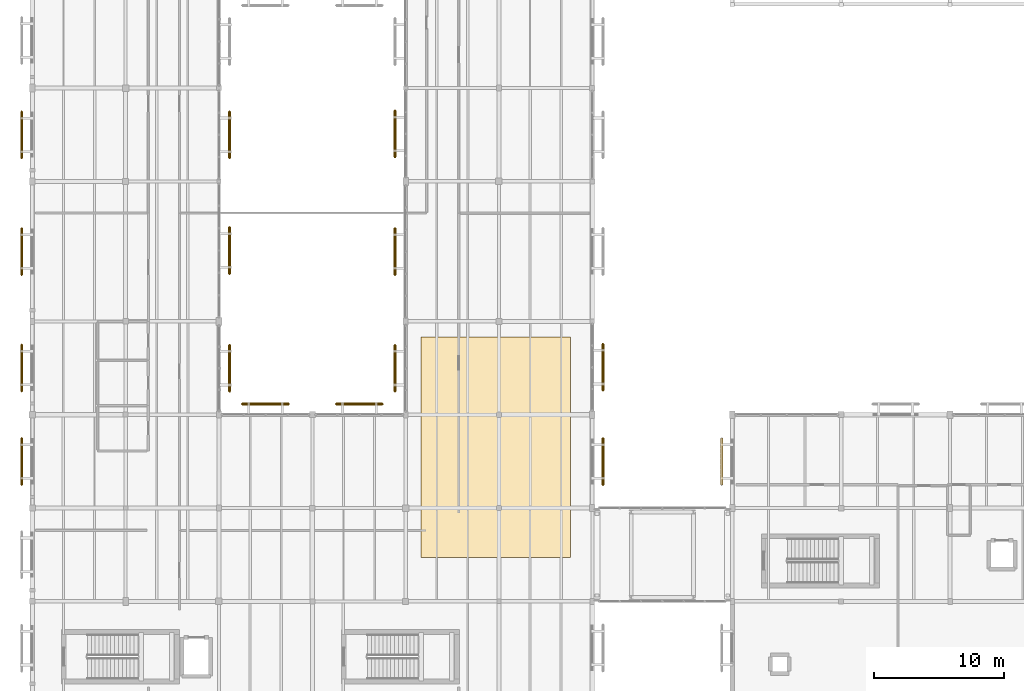
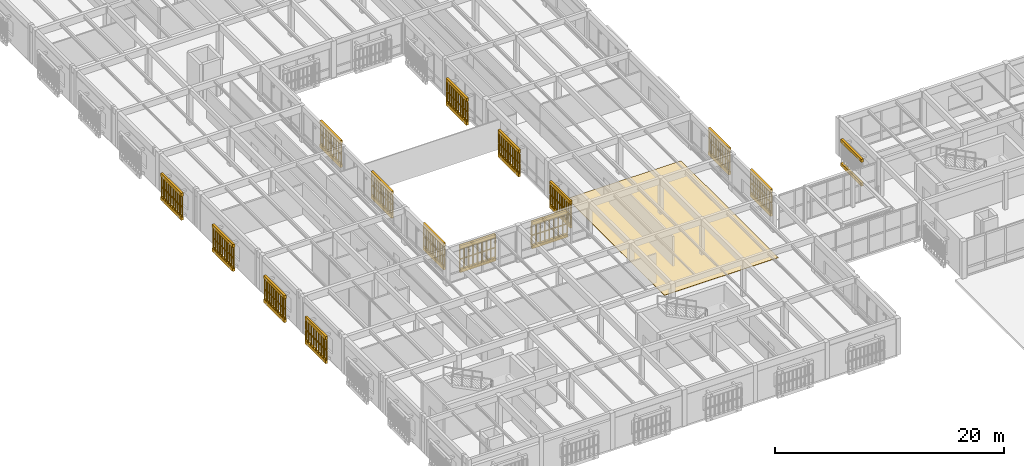
# One storey, part 200 of 217: 31 coverings, 28 railings.
"""IFC4 building model written with IfcOpenShell, lengths in metres."""

from ifc_helpers import new_model, si_unit, direction, frame, origin, origin_2d, place, context, subcontext, project, spatial, polyline, circle, outline, extrude, material, layer, layer_set, type_object, element, save


model = new_model("IFC4")

# Units and contexts
model_context = context("Model", 3, precision=1e-05, world=origin(), true_north=direction((0.0, 1.0)))
body_context = subcontext(model_context, "Body", "Model", "MODEL_VIEW")
ifc_project = project(units=[si_unit("LENGTHUNIT", "METRE"), si_unit("AREAUNIT", "SQUARE_METRE"), si_unit("VOLUMEUNIT", "CUBIC_METRE"), si_unit("PLANEANGLEUNIT", "RADIAN"), si_unit("MASSUNIT", "GRAM", prefix="KILO")], contexts=[model_context])

# Site, building, storey
site_placement = place(None, origin())
site = spatial("IfcSite", under=ifc_project, at=site_placement, CompositionType="ELEMENT")
building_placement = place(site_placement, origin())
building = spatial("IfcBuilding", under=site, at=building_placement, Name="Mazaris Harbour Polytechnic", CompositionType="ELEMENT")
storey_placement = place(building_placement, frame((0.0, 0.0, 9.60009765625)))
storey = spatial("IfcBuildingStorey", under=building, at=storey_placement, Name="L02", CompositionType="ELEMENT", Elevation=9.60009765625)

# Covering
ifc_material_1 = material(Name="Honed Stone Terrazzo", Category="masonry")
ifc_layer_1 = layer(ifc_material_1, 0.034912109375, Name="Honed Stone Terrazzo")
ifc_layer_set_1 = layer_set([ifc_layer_1], Name="Honed Stone Terrazzo")
covering_type_1 = type_object("IfcCoveringType", Name="Honed Stone Terrazzo Flooring 35", PredefinedType="FLOORING", material=ifc_layer_set_1)
covering_1_placement = place(storey_placement, origin())
element("IfcCovering", 1, at=covering_1_placement, inside=storey, type_object=covering_type_1, Name="Covering COV-FL-05", PredefinedType="FLOORING", context=body_context, shape_type="SweptSolid", body=[
    extrude(outline(polyline([(30.0, 25.0), (41.5, 25.0), (41.5, 42.0), (30.0, 42.0), (30.0, 25.0)])), origin(), (0.0, 0.0, 1.0), 0.034912109375),
])

# Railings
ifc_material_2 = material(Name="Perforated Earth-Coloured Terracotta Block", Category="masonry")
railing_type = type_object("IfcRailingType", Name="Perforated Earth-Block Claustra Lattice 1040", PredefinedType="BALUSTRADE", material=ifc_material_2)
for number, where, name in (
    (2, (-0.820068359375, 30.590087890625, 0.52001953125), "V4 L02 Lower Perforated Terracotta Block Screen 216"),
    (3, (-0.820068359375, 30.590087890625, 1.60986328125), "V4 L02 Upper Perforated Terracotta Block Screen 216"),
):
    element("IfcRailing", number, at=place(storey_placement, frame(where)), inside=storey, type_object=railing_type, Name=name, PredefinedType="BALUSTRADE", context=body_context, shape_type="SweptSolid", body=[
        extrude(circle(Radius=0.06982421875, at=origin_2d()), frame((0.0, 0.0, 1.02001953125), z_axis=(0.0, 1.0, 0.0), x_axis=(-1.0, 0.0, 0.0)), (0.0, 0.0, 1.0), 3.599853515625),
        extrude(circle(Radius=0.074951171875, at=origin_2d()), origin(), (0.0, 0.0, 1.0), 0.9501953125),
        extrude(circle(Radius=0.074951171875, at=origin_2d()), frame((0.0, 0.449951171875, 0.0)), (0.0, 0.0, 1.0), 0.9501953125),
        extrude(circle(Radius=0.074951171875, at=origin_2d()), frame((0.0, 0.89990234375, 0.0)), (0.0, 0.0, 1.0), 0.9501953125),
        extrude(circle(Radius=0.074951171875, at=origin_2d()), frame((0.0, 1.349853515625, 0.0)), (0.0, 0.0, 1.0), 0.9501953125),
        extrude(circle(Radius=0.074951171875, at=origin_2d()), frame((0.0, 1.7998046875, 0.0)), (0.0, 0.0, 1.0), 0.9501953125),
        extrude(circle(Radius=0.074951171875, at=origin_2d()), frame((0.0, 2.25, 0.0)), (0.0, 0.0, 1.0), 0.9501953125),
        extrude(circle(Radius=0.074951171875, at=origin_2d()), frame((0.0, 2.699951171875, 0.0)), (0.0, 0.0, 1.0), 0.9501953125),
        extrude(circle(Radius=0.074951171875, at=origin_2d()), frame((0.0, 3.14990234375, 0.0)), (0.0, 0.0, 1.0), 0.9501953125),
        extrude(circle(Radius=0.074951171875, at=origin_2d()), frame((0.0, 3.599853515625, 0.0)), (0.0, 0.0, 1.0), 0.9501953125),
    ])
for number, where, name in (
    (4, (-0.820068359375, 37.804931640625, 0.52001953125), "V4 L02 Lower Perforated Terracotta Block Screen 217"),
    (5, (-0.820068359375, 37.804931640625, 1.60986328125), "V4 L02 Upper Perforated Terracotta Block Screen 217"),
    (6, (-0.820068359375, 46.784912109375, 0.52001953125), "V4 L02 Lower Perforated Terracotta Block Screen 218"),
    (7, (-0.820068359375, 46.784912109375, 1.60986328125), "V4 L02 Upper Perforated Terracotta Block Screen 218"),
    (8, (-0.820068359375, 55.784912109375, 0.52001953125), "V4 L02 Lower Perforated Terracotta Block Screen 219"),
    (9, (-0.820068359375, 55.784912109375, 1.60986328125), "V4 L02 Upper Perforated Terracotta Block Screen 219"),
):
    element("IfcRailing", number, at=place(storey_placement, frame(where)), inside=storey, type_object=railing_type, Name=name, PredefinedType="BALUSTRADE", context=body_context, shape_type="SweptSolid", body=[
        extrude(circle(Radius=0.06982421875, at=origin_2d()), frame((0.0, 0.0, 1.02001953125), z_axis=(0.0, 1.0, 0.0), x_axis=(-1.0, 0.0, 0.0)), (0.0, 0.0, 1.0), 3.60009765625),
        extrude(circle(Radius=0.074951171875, at=origin_2d()), origin(), (0.0, 0.0, 1.0), 0.9501953125),
        extrude(circle(Radius=0.074951171875, at=origin_2d()), frame((0.0, 0.39990234375, 0.0)), (0.0, 0.0, 1.0), 0.9501953125),
        extrude(circle(Radius=0.074951171875, at=origin_2d()), frame((0.0, 0.800048828125, 0.0)), (0.0, 0.0, 1.0), 0.9501953125),
        extrude(circle(Radius=0.074951171875, at=origin_2d()), frame((0.0, 1.199951171875, 0.0)), (0.0, 0.0, 1.0), 0.9501953125),
        extrude(circle(Radius=0.074951171875, at=origin_2d()), frame((0.0, 1.60009765625, 0.0)), (0.0, 0.0, 1.0), 0.9501953125),
        extrude(circle(Radius=0.074951171875, at=origin_2d()), frame((0.0, 2.0, 0.0)), (0.0, 0.0, 1.0), 0.9501953125),
        extrude(circle(Radius=0.074951171875, at=origin_2d()), frame((0.0, 2.400146484375, 0.0)), (0.0, 0.0, 1.0), 0.9501953125),
        extrude(circle(Radius=0.074951171875, at=origin_2d()), frame((0.0, 2.800048828125, 0.0)), (0.0, 0.0, 1.0), 0.9501953125),
        extrude(circle(Radius=0.074951171875, at=origin_2d()), frame((0.0, 3.2001953125, 0.0)), (0.0, 0.0, 1.0), 0.9501953125),
        extrude(circle(Radius=0.074951171875, at=origin_2d()), frame((0.0, 3.60009765625, 0.0)), (0.0, 0.0, 1.0), 0.9501953125),
    ])
for number, where, name in (
    (10, (44.02001953125, 34.18505859375, 0.52001953125), "V4 L02 Lower Perforated Terracotta Block Screen 227"),
    (11, (44.02001953125, 34.18505859375, 1.60986328125), "V4 L02 Upper Perforated Terracotta Block Screen 227"),
    (12, (44.02001953125, 41.465087890625, 0.52001953125), "V4 L02 Lower Perforated Terracotta Block Screen 228"),
    (13, (44.02001953125, 41.465087890625, 1.60986328125), "V4 L02 Upper Perforated Terracotta Block Screen 228"),
):
    element("IfcRailing", number, at=place(storey_placement, frame(where)), inside=storey, type_object=railing_type, Name=name, PredefinedType="BALUSTRADE", context=body_context, shape_type="SweptSolid", body=[
        extrude(circle(Radius=0.06982421875, at=origin_2d()), frame((0.0, 0.0, 1.02001953125), z_axis=(0.0, -1.0, 0.0), x_axis=(1.0, 0.0, 0.0)), (0.0, 0.0, 1.0), 3.60009765625),
        extrude(circle(Radius=0.074951171875, at=origin_2d()), origin(), (0.0, 0.0, 1.0), 0.9501953125),
        extrude(circle(Radius=0.074951171875, at=origin_2d()), frame((0.0, -0.39990234375, 0.0)), (0.0, 0.0, 1.0), 0.9501953125),
        extrude(circle(Radius=0.074951171875, at=origin_2d()), frame((0.0, -0.800048828125, 0.0)), (0.0, 0.0, 1.0), 0.9501953125),
        extrude(circle(Radius=0.074951171875, at=origin_2d()), frame((0.0, -1.199951171875, 0.0)), (0.0, 0.0, 1.0), 0.9501953125),
        extrude(circle(Radius=0.074951171875, at=origin_2d()), frame((0.0, -1.60009765625, 0.0)), (0.0, 0.0, 1.0), 0.9501953125),
        extrude(circle(Radius=0.074951171875, at=origin_2d()), frame((0.0, -2.0, 0.0)), (0.0, 0.0, 1.0), 0.9501953125),
        extrude(circle(Radius=0.074951171875, at=origin_2d()), frame((0.0, -2.400146484375, 0.0)), (0.0, 0.0, 1.0), 0.9501953125),
        extrude(circle(Radius=0.074951171875, at=origin_2d()), frame((0.0, -2.800048828125, 0.0)), (0.0, 0.0, 1.0), 0.9501953125),
        extrude(circle(Radius=0.074951171875, at=origin_2d()), frame((0.0, -3.2001953125, 0.0)), (0.0, 0.0, 1.0), 0.9501953125),
        extrude(circle(Radius=0.074951171875, at=origin_2d()), frame((0.0, -3.60009765625, 0.0)), (0.0, 0.0, 1.0), 0.9501953125),
    ])
for number, where, name in (
    (14, (16.18505859375, 36.820068359375, 0.52001953125), "V4 L02 Lower Perforated Terracotta Block Screen 235"),
    (15, (16.18505859375, 36.820068359375, 1.60498046875), "V4 L02 Upper Perforated Terracotta Block Screen 235"),
    (16, (23.425048828125, 36.820068359375, 0.52001953125), "V4 L02 Lower Perforated Terracotta Block Screen 236"),
    (17, (23.425048828125, 36.820068359375, 1.60498046875), "V4 L02 Upper Perforated Terracotta Block Screen 236"),
):
    element("IfcRailing", number, at=place(storey_placement, frame(where)), inside=storey, type_object=railing_type, Name=name, PredefinedType="BALUSTRADE", context=body_context, shape_type="SweptSolid", body=[
        extrude(circle(Radius=0.06982421875, at=origin_2d()), frame((0.0, 0.0, 1.01513671875), z_axis=(1.0, 0.0, 0.0), x_axis=(0.0, 1.0, 0.0)), (0.0, 0.0, 1.0), 3.599853515625),
        extrude(circle(Radius=0.074951171875, at=origin_2d()), origin(), (0.0, 0.0, 1.0), 0.945068359375),
        extrude(circle(Radius=0.074951171875, at=origin_2d()), frame((0.449951171875, 0.0, 0.0)), (0.0, 0.0, 1.0), 0.945068359375),
        extrude(circle(Radius=0.074951171875, at=origin_2d()), frame((0.89990234375, 0.0, 0.0)), (0.0, 0.0, 1.0), 0.945068359375),
        extrude(circle(Radius=0.074951171875, at=origin_2d()), frame((1.349853515625, 0.0, 0.0)), (0.0, 0.0, 1.0), 0.945068359375),
        extrude(circle(Radius=0.074951171875, at=origin_2d()), frame((1.7998046875, 0.0, 0.0)), (0.0, 0.0, 1.0), 0.945068359375),
        extrude(circle(Radius=0.074951171875, at=origin_2d()), frame((2.25, 0.0, 0.0)), (0.0, 0.0, 1.0), 0.945068359375),
        extrude(circle(Radius=0.074951171875, at=origin_2d()), frame((2.699951171875, 0.0, 0.0)), (0.0, 0.0, 1.0), 0.945068359375),
        extrude(circle(Radius=0.074951171875, at=origin_2d()), frame((3.14990234375, 0.0, 0.0)), (0.0, 0.0, 1.0), 0.945068359375),
        extrude(circle(Radius=0.074951171875, at=origin_2d()), frame((3.599853515625, 0.0, 0.0)), (0.0, 0.0, 1.0), 0.945068359375),
    ])
for number, where, name in (
    (18, (15.219970703125, 37.784912109375, 0.52001953125), "V4 L02 Lower Perforated Terracotta Block Screen 239"),
    (19, (15.219970703125, 37.784912109375, 1.60498046875), "V4 L02 Upper Perforated Terracotta Block Screen 239"),
    (20, (15.219970703125, 46.864990234375, 0.52001953125), "V4 L02 Lower Perforated Terracotta Block Screen 240"),
    (21, (15.219970703125, 46.864990234375, 1.60498046875), "V4 L02 Upper Perforated Terracotta Block Screen 240"),
):
    element("IfcRailing", number, at=place(storey_placement, frame(where)), inside=storey, type_object=railing_type, Name=name, PredefinedType="BALUSTRADE", context=body_context, shape_type="SweptSolid", body=[
        extrude(circle(Radius=0.06982421875, at=origin_2d()), frame((0.0, 0.0, 1.01513671875), z_axis=(0.0, 1.0, 0.0), x_axis=(-1.0, 0.0, 0.0)), (0.0, 0.0, 1.0), 3.60009765625),
        extrude(circle(Radius=0.074951171875, at=origin_2d()), origin(), (0.0, 0.0, 1.0), 0.945068359375),
        extrude(circle(Radius=0.074951171875, at=origin_2d()), frame((0.0, 0.39990234375, 0.0)), (0.0, 0.0, 1.0), 0.945068359375),
        extrude(circle(Radius=0.074951171875, at=origin_2d()), frame((0.0, 0.800048828125, 0.0)), (0.0, 0.0, 1.0), 0.945068359375),
        extrude(circle(Radius=0.074951171875, at=origin_2d()), frame((0.0, 1.199951171875, 0.0)), (0.0, 0.0, 1.0), 0.945068359375),
        extrude(circle(Radius=0.074951171875, at=origin_2d()), frame((0.0, 1.60009765625, 0.0)), (0.0, 0.0, 1.0), 0.945068359375),
        extrude(circle(Radius=0.074951171875, at=origin_2d()), frame((0.0, 2.0, 0.0)), (0.0, 0.0, 1.0), 0.945068359375),
        extrude(circle(Radius=0.074951171875, at=origin_2d()), frame((0.0, 2.400146484375, 0.0)), (0.0, 0.0, 1.0), 0.945068359375),
        extrude(circle(Radius=0.074951171875, at=origin_2d()), frame((0.0, 2.800048828125, 0.0)), (0.0, 0.0, 1.0), 0.945068359375),
        extrude(circle(Radius=0.074951171875, at=origin_2d()), frame((0.0, 3.2001953125, 0.0)), (0.0, 0.0, 1.0), 0.945068359375),
        extrude(circle(Radius=0.074951171875, at=origin_2d()), frame((0.0, 3.60009765625, 0.0)), (0.0, 0.0, 1.0), 0.945068359375),
    ])
for number, where, name in (
    (22, (15.219970703125, 55.7900390625, 0.52001953125), "V4 L02 Lower Perforated Terracotta Block Screen 241"),
    (23, (15.219970703125, 55.7900390625, 1.60498046875), "V4 L02 Upper Perforated Terracotta Block Screen 241"),
):
    element("IfcRailing", number, at=place(storey_placement, frame(where)), inside=storey, type_object=railing_type, Name=name, PredefinedType="BALUSTRADE", context=body_context, shape_type="SweptSolid", body=[
        extrude(circle(Radius=0.06982421875, at=origin_2d()), frame((0.0, 0.0, 1.01513671875), z_axis=(0.0, 1.0, 0.0), x_axis=(-1.0, 0.0, 0.0)), (0.0, 0.0, 1.0), 3.599853515625),
        extrude(circle(Radius=0.074951171875, at=origin_2d()), origin(), (0.0, 0.0, 1.0), 0.945068359375),
        extrude(circle(Radius=0.074951171875, at=origin_2d()), frame((0.0, 0.449951171875, 0.0)), (0.0, 0.0, 1.0), 0.945068359375),
        extrude(circle(Radius=0.074951171875, at=origin_2d()), frame((0.0, 0.89990234375, 0.0)), (0.0, 0.0, 1.0), 0.945068359375),
        extrude(circle(Radius=0.074951171875, at=origin_2d()), frame((0.0, 1.349853515625, 0.0)), (0.0, 0.0, 1.0), 0.945068359375),
        extrude(circle(Radius=0.074951171875, at=origin_2d()), frame((0.0, 1.7998046875, 0.0)), (0.0, 0.0, 1.0), 0.945068359375),
        extrude(circle(Radius=0.074951171875, at=origin_2d()), frame((0.0, 2.25, 0.0)), (0.0, 0.0, 1.0), 0.945068359375),
        extrude(circle(Radius=0.074951171875, at=origin_2d()), frame((0.0, 2.699951171875, 0.0)), (0.0, 0.0, 1.0), 0.945068359375),
        extrude(circle(Radius=0.074951171875, at=origin_2d()), frame((0.0, 3.14990234375, 0.0)), (0.0, 0.0, 1.0), 0.945068359375),
        extrude(circle(Radius=0.074951171875, at=origin_2d()), frame((0.0, 3.599853515625, 0.0)), (0.0, 0.0, 1.0), 0.945068359375),
    ])
for number, where, name in (
    (24, (27.97998046875, 41.385009765625, 0.52001953125), "V4 L02 Lower Perforated Terracotta Block Screen 243"),
    (25, (27.97998046875, 41.385009765625, 1.60498046875), "V4 L02 Upper Perforated Terracotta Block Screen 243"),
    (26, (27.97998046875, 50.385009765625, 0.52001953125), "V4 L02 Lower Perforated Terracotta Block Screen 244"),
    (27, (27.97998046875, 50.385009765625, 1.60498046875), "V4 L02 Upper Perforated Terracotta Block Screen 244"),
    (28, (27.97998046875, 59.465087890625, 0.52001953125), "V4 L02 Lower Perforated Terracotta Block Screen 245"),
    (29, (27.97998046875, 59.465087890625, 1.60498046875), "V4 L02 Upper Perforated Terracotta Block Screen 245"),
):
    element("IfcRailing", number, at=place(storey_placement, frame(where)), inside=storey, type_object=railing_type, Name=name, PredefinedType="BALUSTRADE", context=body_context, shape_type="SweptSolid", body=[
        extrude(circle(Radius=0.06982421875, at=origin_2d()), frame((0.0, 0.0, 1.01513671875), z_axis=(0.0, -1.0, 0.0), x_axis=(1.0, 0.0, 0.0)), (0.0, 0.0, 1.0), 3.60009765625),
        extrude(circle(Radius=0.074951171875, at=origin_2d()), origin(), (0.0, 0.0, 1.0), 0.945068359375),
        extrude(circle(Radius=0.074951171875, at=origin_2d()), frame((0.0, -0.39990234375, 0.0)), (0.0, 0.0, 1.0), 0.945068359375),
        extrude(circle(Radius=0.074951171875, at=origin_2d()), frame((0.0, -0.800048828125, 0.0)), (0.0, 0.0, 1.0), 0.945068359375),
        extrude(circle(Radius=0.074951171875, at=origin_2d()), frame((0.0, -1.199951171875, 0.0)), (0.0, 0.0, 1.0), 0.945068359375),
        extrude(circle(Radius=0.074951171875, at=origin_2d()), frame((0.0, -1.60009765625, 0.0)), (0.0, 0.0, 1.0), 0.945068359375),
        extrude(circle(Radius=0.074951171875, at=origin_2d()), frame((0.0, -2.0, 0.0)), (0.0, 0.0, 1.0), 0.945068359375),
        extrude(circle(Radius=0.074951171875, at=origin_2d()), frame((0.0, -2.400146484375, 0.0)), (0.0, 0.0, 1.0), 0.945068359375),
        extrude(circle(Radius=0.074951171875, at=origin_2d()), frame((0.0, -2.800048828125, 0.0)), (0.0, 0.0, 1.0), 0.945068359375),
        extrude(circle(Radius=0.074951171875, at=origin_2d()), frame((0.0, -3.2001953125, 0.0)), (0.0, 0.0, 1.0), 0.945068359375),
        extrude(circle(Radius=0.074951171875, at=origin_2d()), frame((0.0, -3.60009765625, 0.0)), (0.0, 0.0, 1.0), 0.945068359375),
    ])

# Coverings
ifc_material_3 = material(Name="Perforated Earth-Coloured Terracotta Block", Category="masonry")
ifc_layer_2 = layer(ifc_material_3, 0.219970703125, Name="Perforated Earth-Coloured Terracotta Block")
ifc_layer_set_2 = layer_set([ifc_layer_2], Name="Perforated Earth-Coloured Terracotta Block")
covering_type_2 = type_object("IfcCoveringType", Name="Terracotta Screen Course Cladding 220", PredefinedType="CLADDING", material=ifc_layer_set_2)
covering_2_placement = place(storey_placement, frame((0.0, 0.0, 0.159912109375)))
element("IfcCovering", 30, at=covering_2_placement, inside=storey, type_object=covering_type_2, Name="V3 L02 Perforated Screen Sill Course 129", PredefinedType="CLADDING", context=body_context, shape_type="SweptSolid", body=[
    extrude(outline(polyline([(53.2900390625, 30.5849609375), (53.2900390625, 34.18505859375), (53.070068359375, 34.18505859375), (53.070068359375, 30.5849609375), (53.2900390625, 30.5849609375)])), origin(), (0.0, 0.0, 1.0), 0.360107421875),
])
covering_3_placement = place(storey_placement, frame((0.0, 0.0, 2.699951171875)))
element("IfcCovering", 31, at=covering_3_placement, inside=storey, type_object=covering_type_2, Name="V3 L02 Perforated Screen Lintel Course 129", PredefinedType="CLADDING", context=body_context, shape_type="SweptSolid", body=[
    extrude(outline(polyline([(53.2900390625, 30.5849609375), (53.2900390625, 34.18505859375), (53.070068359375, 34.18505859375), (53.070068359375, 30.5849609375), (53.2900390625, 30.5849609375)])), origin(), (0.0, 0.0, 1.0), 0.33984375),
])
covering_4_placement = place(storey_placement, frame((0.0, 0.0, 0.159912109375)))
element("IfcCovering", 32, at=covering_4_placement, inside=storey, type_object=covering_type_2, Name="V4 L02 Perforated Screen Sill Course 216", PredefinedType="CLADDING", context=body_context, shape_type="SweptSolid", body=[
    extrude(outline(polyline([(-0.7099609375, 30.590087890625), (-0.7099609375, 34.18994140625), (-0.929931640625, 34.18994140625), (-0.929931640625, 30.590087890625), (-0.7099609375, 30.590087890625)])), origin(), (0.0, 0.0, 1.0), 0.360107421875),
])
covering_5_placement = place(storey_placement, frame((0.0, 0.0, 2.699951171875)))
element("IfcCovering", 33, at=covering_5_placement, inside=storey, type_object=covering_type_2, Name="V4 L02 Perforated Screen Lintel Course 216", PredefinedType="CLADDING", context=body_context, shape_type="SweptSolid", body=[
    extrude(outline(polyline([(-0.7099609375, 30.590087890625), (-0.7099609375, 34.18994140625), (-0.929931640625, 34.18994140625), (-0.929931640625, 30.590087890625), (-0.7099609375, 30.590087890625)])), origin(), (0.0, 0.0, 1.0), 0.33984375),
])
covering_6_placement = place(storey_placement, frame((0.0, 0.0, 0.159912109375)))
element("IfcCovering", 34, at=covering_6_placement, inside=storey, type_object=covering_type_2, Name="V4 L02 Perforated Screen Sill Course 217", PredefinedType="CLADDING", context=body_context, shape_type="SweptSolid", body=[
    extrude(outline(polyline([(-0.7099609375, 37.804931640625), (-0.7099609375, 41.405029296875), (-0.929931640625, 41.405029296875), (-0.929931640625, 37.804931640625), (-0.7099609375, 37.804931640625)])), origin(), (0.0, 0.0, 1.0), 0.360107421875),
])
covering_7_placement = place(storey_placement, frame((0.0, 0.0, 2.699951171875)))
element("IfcCovering", 35, at=covering_7_placement, inside=storey, type_object=covering_type_2, Name="V4 L02 Perforated Screen Lintel Course 217", PredefinedType="CLADDING", context=body_context, shape_type="SweptSolid", body=[
    extrude(outline(polyline([(-0.7099609375, 37.804931640625), (-0.7099609375, 41.405029296875), (-0.929931640625, 41.405029296875), (-0.929931640625, 37.804931640625), (-0.7099609375, 37.804931640625)])), origin(), (0.0, 0.0, 1.0), 0.33984375),
])
covering_8_placement = place(storey_placement, frame((0.0, 0.0, 0.159912109375)))
element("IfcCovering", 36, at=covering_8_placement, inside=storey, type_object=covering_type_2, Name="V4 L02 Perforated Screen Sill Course 218", PredefinedType="CLADDING", context=body_context, shape_type="SweptSolid", body=[
    extrude(outline(polyline([(-0.7099609375, 46.784912109375), (-0.7099609375, 50.385009765625), (-0.929931640625, 50.385009765625), (-0.929931640625, 46.784912109375), (-0.7099609375, 46.784912109375)])), origin(), (0.0, 0.0, 1.0), 0.360107421875),
])
covering_9_placement = place(storey_placement, frame((0.0, 0.0, 2.699951171875)))
element("IfcCovering", 37, at=covering_9_placement, inside=storey, type_object=covering_type_2, Name="V4 L02 Perforated Screen Lintel Course 218", PredefinedType="CLADDING", context=body_context, shape_type="SweptSolid", body=[
    extrude(outline(polyline([(-0.7099609375, 46.784912109375), (-0.7099609375, 50.385009765625), (-0.929931640625, 50.385009765625), (-0.929931640625, 46.784912109375), (-0.7099609375, 46.784912109375)])), origin(), (0.0, 0.0, 1.0), 0.33984375),
])
covering_10_placement = place(storey_placement, frame((0.0, 0.0, 0.159912109375)))
element("IfcCovering", 38, at=covering_10_placement, inside=storey, type_object=covering_type_2, Name="V4 L02 Perforated Screen Sill Course 219", PredefinedType="CLADDING", context=body_context, shape_type="SweptSolid", body=[
    extrude(outline(polyline([(-0.7099609375, 55.784912109375), (-0.7099609375, 59.385009765625), (-0.929931640625, 59.385009765625), (-0.929931640625, 55.784912109375), (-0.7099609375, 55.784912109375)])), origin(), (0.0, 0.0, 1.0), 0.360107421875),
])
covering_11_placement = place(storey_placement, frame((0.0, 0.0, 2.699951171875)))
element("IfcCovering", 39, at=covering_11_placement, inside=storey, type_object=covering_type_2, Name="V4 L02 Perforated Screen Lintel Course 219", PredefinedType="CLADDING", context=body_context, shape_type="SweptSolid", body=[
    extrude(outline(polyline([(-0.7099609375, 55.784912109375), (-0.7099609375, 59.385009765625), (-0.929931640625, 59.385009765625), (-0.929931640625, 55.784912109375), (-0.7099609375, 55.784912109375)])), origin(), (0.0, 0.0, 1.0), 0.33984375),
])
covering_12_placement = place(storey_placement, frame((0.0, 0.0, 0.159912109375)))
element("IfcCovering", 40, at=covering_12_placement, inside=storey, type_object=covering_type_2, Name="V4 L02 Perforated Screen Sill Course 227", PredefinedType="CLADDING", context=body_context, shape_type="SweptSolid", body=[
    extrude(outline(polyline([(43.909912109375, 34.18505859375), (43.909912109375, 30.5849609375), (44.1298828125, 30.5849609375), (44.1298828125, 34.18505859375), (43.909912109375, 34.18505859375)])), origin(), (0.0, 0.0, 1.0), 0.360107421875),
])
covering_13_placement = place(storey_placement, frame((0.0, 0.0, 2.699951171875)))
element("IfcCovering", 41, at=covering_13_placement, inside=storey, type_object=covering_type_2, Name="V4 L02 Perforated Screen Lintel Course 227", PredefinedType="CLADDING", context=body_context, shape_type="SweptSolid", body=[
    extrude(outline(polyline([(43.909912109375, 34.18505859375), (43.909912109375, 30.5849609375), (44.1298828125, 30.5849609375), (44.1298828125, 34.18505859375), (43.909912109375, 34.18505859375)])), origin(), (0.0, 0.0, 1.0), 0.33984375),
])
covering_14_placement = place(storey_placement, frame((0.0, 0.0, 0.159912109375)))
element("IfcCovering", 42, at=covering_14_placement, inside=storey, type_object=covering_type_2, Name="V4 L02 Perforated Screen Sill Course 228", PredefinedType="CLADDING", context=body_context, shape_type="SweptSolid", body=[
    extrude(outline(polyline([(43.909912109375, 41.465087890625), (43.909912109375, 37.864990234375), (44.1298828125, 37.864990234375), (44.1298828125, 41.465087890625), (43.909912109375, 41.465087890625)])), origin(), (0.0, 0.0, 1.0), 0.360107421875),
])
covering_15_placement = place(storey_placement, frame((0.0, 0.0, 2.699951171875)))
element("IfcCovering", 43, at=covering_15_placement, inside=storey, type_object=covering_type_2, Name="V4 L02 Perforated Screen Lintel Course 228", PredefinedType="CLADDING", context=body_context, shape_type="SweptSolid", body=[
    extrude(outline(polyline([(43.909912109375, 41.465087890625), (43.909912109375, 37.864990234375), (44.1298828125, 37.864990234375), (44.1298828125, 41.465087890625), (43.909912109375, 41.465087890625)])), origin(), (0.0, 0.0, 1.0), 0.33984375),
])
covering_16_placement = place(storey_placement, frame((0.0, 0.0, 0.159912109375)))
element("IfcCovering", 44, at=covering_16_placement, inside=storey, type_object=covering_type_2, Name="V4 L02 Perforated Screen Sill Course 235", PredefinedType="CLADDING", context=body_context, shape_type="SweptSolid", body=[
    extrude(outline(polyline([(16.18505859375, 36.7099609375), (19.784912109375, 36.7099609375), (19.784912109375, 36.929931640625), (16.18505859375, 36.929931640625), (16.18505859375, 36.7099609375)])), origin(), (0.0, 0.0, 1.0), 0.360107421875),
])
covering_17_placement = place(storey_placement, frame((0.0, 0.0, 2.68994140625)))
element("IfcCovering", 45, at=covering_17_placement, inside=storey, type_object=covering_type_2, Name="V4 L02 Perforated Screen Lintel Course 235", PredefinedType="CLADDING", context=body_context, shape_type="SweptSolid", body=[
    extrude(outline(polyline([(16.18505859375, 36.7099609375), (19.784912109375, 36.7099609375), (19.784912109375, 36.929931640625), (16.18505859375, 36.929931640625), (16.18505859375, 36.7099609375)])), origin(), (0.0, 0.0, 1.0), 0.33984375),
])
covering_18_placement = place(storey_placement, frame((0.0, 0.0, 0.159912109375)))
element("IfcCovering", 46, at=covering_18_placement, inside=storey, type_object=covering_type_2, Name="V4 L02 Perforated Screen Sill Course 236", PredefinedType="CLADDING", context=body_context, shape_type="SweptSolid", body=[
    extrude(outline(polyline([(23.425048828125, 36.7099609375), (27.02490234375, 36.7099609375), (27.02490234375, 36.929931640625), (23.425048828125, 36.929931640625), (23.425048828125, 36.7099609375)])), origin(), (0.0, 0.0, 1.0), 0.360107421875),
])
covering_19_placement = place(storey_placement, frame((0.0, 0.0, 2.68994140625)))
element("IfcCovering", 47, at=covering_19_placement, inside=storey, type_object=covering_type_2, Name="V4 L02 Perforated Screen Lintel Course 236", PredefinedType="CLADDING", context=body_context, shape_type="SweptSolid", body=[
    extrude(outline(polyline([(23.425048828125, 36.7099609375), (27.02490234375, 36.7099609375), (27.02490234375, 36.929931640625), (23.425048828125, 36.929931640625), (23.425048828125, 36.7099609375)])), origin(), (0.0, 0.0, 1.0), 0.33984375),
])
covering_20_placement = place(storey_placement, frame((0.0, 0.0, 0.159912109375)))
element("IfcCovering", 48, at=covering_20_placement, inside=storey, type_object=covering_type_2, Name="V4 L02 Perforated Screen Sill Course 239", PredefinedType="CLADDING", context=body_context, shape_type="SweptSolid", body=[
    extrude(outline(polyline([(15.110107421875, 37.784912109375), (15.110107421875, 41.385009765625), (15.330078125, 41.385009765625), (15.330078125, 37.784912109375), (15.110107421875, 37.784912109375)])), origin(), (0.0, 0.0, 1.0), 0.360107421875),
])
covering_21_placement = place(storey_placement, frame((0.0, 0.0, 2.68994140625)))
element("IfcCovering", 49, at=covering_21_placement, inside=storey, type_object=covering_type_2, Name="V4 L02 Perforated Screen Lintel Course 239", PredefinedType="CLADDING", context=body_context, shape_type="SweptSolid", body=[
    extrude(outline(polyline([(15.110107421875, 37.784912109375), (15.110107421875, 41.385009765625), (15.330078125, 41.385009765625), (15.330078125, 37.784912109375), (15.110107421875, 37.784912109375)])), origin(), (0.0, 0.0, 1.0), 0.33984375),
])
covering_22_placement = place(storey_placement, frame((0.0, 0.0, 0.159912109375)))
element("IfcCovering", 50, at=covering_22_placement, inside=storey, type_object=covering_type_2, Name="V4 L02 Perforated Screen Sill Course 240", PredefinedType="CLADDING", context=body_context, shape_type="SweptSolid", body=[
    extrude(outline(polyline([(15.110107421875, 46.864990234375), (15.110107421875, 50.465087890625), (15.330078125, 50.465087890625), (15.330078125, 46.864990234375), (15.110107421875, 46.864990234375)])), origin(), (0.0, 0.0, 1.0), 0.360107421875),
])
covering_23_placement = place(storey_placement, frame((0.0, 0.0, 2.68994140625)))
element("IfcCovering", 51, at=covering_23_placement, inside=storey, type_object=covering_type_2, Name="V4 L02 Perforated Screen Lintel Course 240", PredefinedType="CLADDING", context=body_context, shape_type="SweptSolid", body=[
    extrude(outline(polyline([(15.110107421875, 46.864990234375), (15.110107421875, 50.465087890625), (15.330078125, 50.465087890625), (15.330078125, 46.864990234375), (15.110107421875, 46.864990234375)])), origin(), (0.0, 0.0, 1.0), 0.33984375),
])
covering_24_placement = place(storey_placement, frame((0.0, 0.0, 0.159912109375)))
element("IfcCovering", 52, at=covering_24_placement, inside=storey, type_object=covering_type_2, Name="V4 L02 Perforated Screen Sill Course 241", PredefinedType="CLADDING", context=body_context, shape_type="SweptSolid", body=[
    extrude(outline(polyline([(15.110107421875, 55.7900390625), (15.110107421875, 59.389892578125), (15.330078125, 59.389892578125), (15.330078125, 55.7900390625), (15.110107421875, 55.7900390625)])), origin(), (0.0, 0.0, 1.0), 0.360107421875),
])
covering_25_placement = place(storey_placement, frame((0.0, 0.0, 2.68994140625)))
element("IfcCovering", 53, at=covering_25_placement, inside=storey, type_object=covering_type_2, Name="V4 L02 Perforated Screen Lintel Course 241", PredefinedType="CLADDING", context=body_context, shape_type="SweptSolid", body=[
    extrude(outline(polyline([(15.110107421875, 55.7900390625), (15.110107421875, 59.389892578125), (15.330078125, 59.389892578125), (15.330078125, 55.7900390625), (15.110107421875, 55.7900390625)])), origin(), (0.0, 0.0, 1.0), 0.33984375),
])
covering_26_placement = place(storey_placement, frame((0.0, 0.0, 0.159912109375)))
element("IfcCovering", 54, at=covering_26_placement, inside=storey, type_object=covering_type_2, Name="V4 L02 Perforated Screen Sill Course 243", PredefinedType="CLADDING", context=body_context, shape_type="SweptSolid", body=[
    extrude(outline(polyline([(28.090087890625, 41.385009765625), (28.090087890625, 37.784912109375), (27.8701171875, 37.784912109375), (27.8701171875, 41.385009765625), (28.090087890625, 41.385009765625)])), origin(), (0.0, 0.0, 1.0), 0.360107421875),
])
covering_27_placement = place(storey_placement, frame((0.0, 0.0, 2.68994140625)))
element("IfcCovering", 55, at=covering_27_placement, inside=storey, type_object=covering_type_2, Name="V4 L02 Perforated Screen Lintel Course 243", PredefinedType="CLADDING", context=body_context, shape_type="SweptSolid", body=[
    extrude(outline(polyline([(28.090087890625, 41.385009765625), (28.090087890625, 37.784912109375), (27.8701171875, 37.784912109375), (27.8701171875, 41.385009765625), (28.090087890625, 41.385009765625)])), origin(), (0.0, 0.0, 1.0), 0.33984375),
])
covering_28_placement = place(storey_placement, frame((0.0, 0.0, 0.159912109375)))
element("IfcCovering", 56, at=covering_28_placement, inside=storey, type_object=covering_type_2, Name="V4 L02 Perforated Screen Sill Course 244", PredefinedType="CLADDING", context=body_context, shape_type="SweptSolid", body=[
    extrude(outline(polyline([(28.090087890625, 50.385009765625), (28.090087890625, 46.784912109375), (27.8701171875, 46.784912109375), (27.8701171875, 50.385009765625), (28.090087890625, 50.385009765625)])), origin(), (0.0, 0.0, 1.0), 0.360107421875),
])
covering_29_placement = place(storey_placement, frame((0.0, 0.0, 2.68994140625)))
element("IfcCovering", 57, at=covering_29_placement, inside=storey, type_object=covering_type_2, Name="V4 L02 Perforated Screen Lintel Course 244", PredefinedType="CLADDING", context=body_context, shape_type="SweptSolid", body=[
    extrude(outline(polyline([(28.090087890625, 50.385009765625), (28.090087890625, 46.784912109375), (27.8701171875, 46.784912109375), (27.8701171875, 50.385009765625), (28.090087890625, 50.385009765625)])), origin(), (0.0, 0.0, 1.0), 0.33984375),
])
covering_30_placement = place(storey_placement, frame((0.0, 0.0, 0.159912109375)))
element("IfcCovering", 58, at=covering_30_placement, inside=storey, type_object=covering_type_2, Name="V4 L02 Perforated Screen Sill Course 245", PredefinedType="CLADDING", context=body_context, shape_type="SweptSolid", body=[
    extrude(outline(polyline([(28.090087890625, 59.465087890625), (28.090087890625, 55.864990234375), (27.8701171875, 55.864990234375), (27.8701171875, 59.465087890625), (28.090087890625, 59.465087890625)])), origin(), (0.0, 0.0, 1.0), 0.360107421875),
])
covering_31_placement = place(storey_placement, frame((0.0, 0.0, 2.68994140625)))
element("IfcCovering", 59, at=covering_31_placement, inside=storey, type_object=covering_type_2, Name="V4 L02 Perforated Screen Lintel Course 245", PredefinedType="CLADDING", context=body_context, shape_type="SweptSolid", body=[
    extrude(outline(polyline([(28.090087890625, 59.465087890625), (28.090087890625, 55.864990234375), (27.8701171875, 55.864990234375), (27.8701171875, 59.465087890625), (28.090087890625, 59.465087890625)])), origin(), (0.0, 0.0, 1.0), 0.33984375),
])

save(model, "model.ifc")
